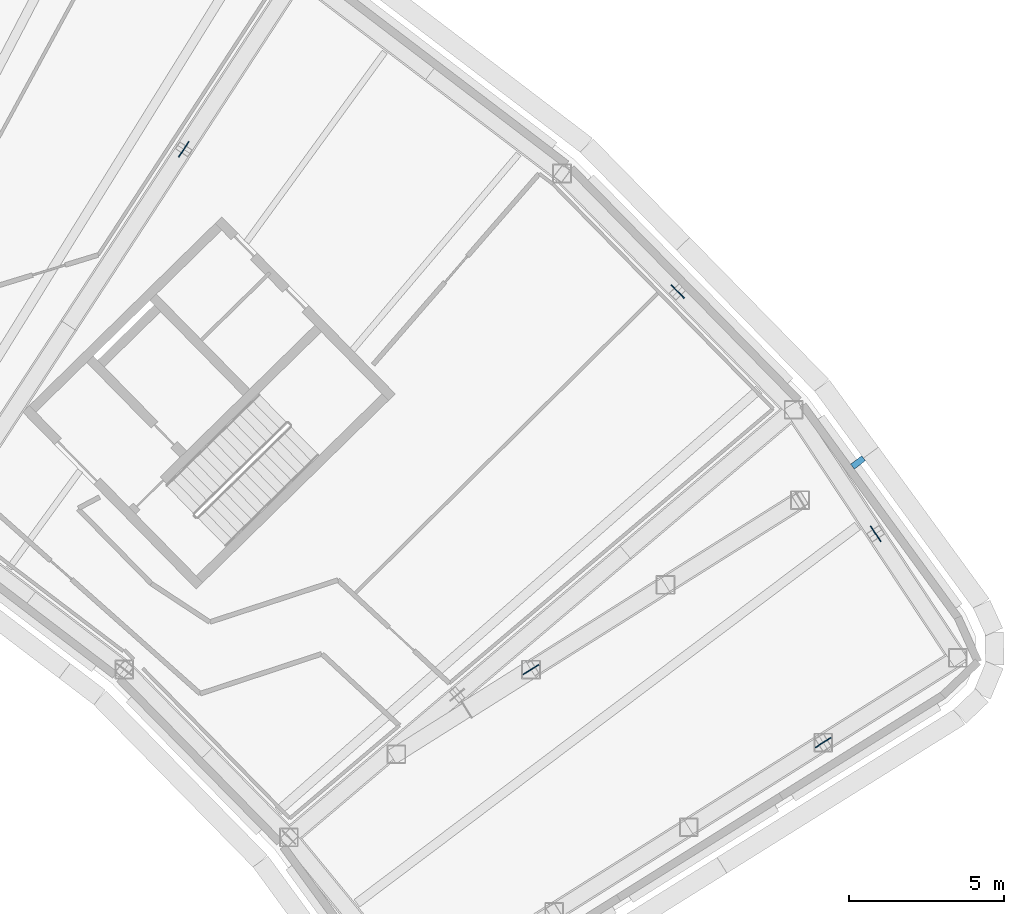
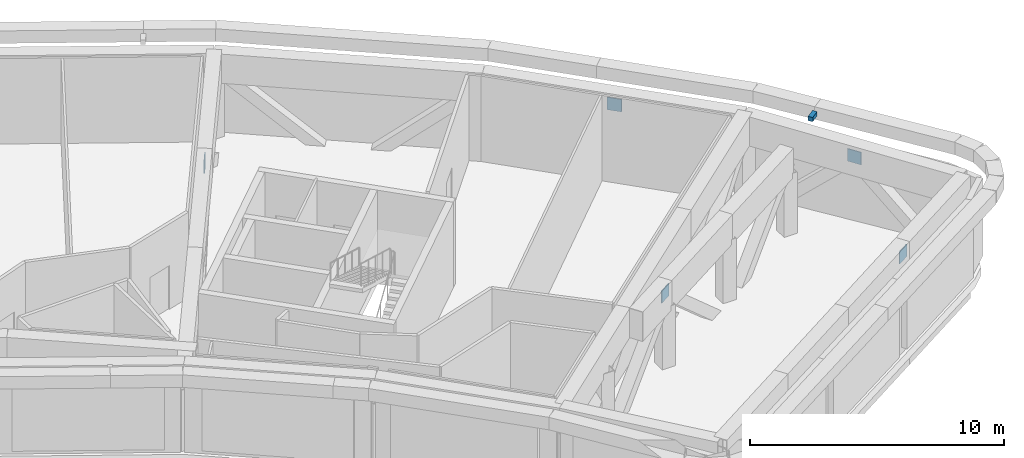
# One storey, part 18 of 24: 6 discrete accessories.
"""IFC4 building model written with IfcOpenShell, lengths in metres."""

from ifc_helpers import new_model, si_unit, direction, frame, origin, origin_2d, place, context, subcontext, project, spatial, rectangle, extrude, material, type_object, element, save


model = new_model("IFC4")

# Units and contexts
model_context = context("Model", 3, precision=1e-05, world=origin(), true_north=direction((0.0, 1.0)))
body_context = subcontext(model_context, "Body", "Model", "MODEL_VIEW")
ifc_project = project(units=[si_unit("LENGTHUNIT", "METRE"), si_unit("AREAUNIT", "SQUARE_METRE"), si_unit("VOLUMEUNIT", "CUBIC_METRE"), si_unit("PLANEANGLEUNIT", "RADIAN"), si_unit("MASSUNIT", "GRAM", prefix="KILO")], contexts=[model_context])

# Site, building, storey
site_placement = place(None, origin())
site = spatial("IfcSite", under=ifc_project, at=site_placement, CompositionType="ELEMENT")
building_placement = place(site_placement, origin())
building = spatial("IfcBuilding", under=site, at=building_placement, Name="Tuul Gate Civic Tower", CompositionType="ELEMENT")
storey_placement = place(building_placement, frame((0.0, 0.0, 243.89990234375)))
storey = spatial("IfcBuildingStorey", under=building, at=storey_placement, Name="Plant and refuge floor 6", CompositionType="ELEMENT", Elevation=243.89990234375)

# Discrete accessories
ifc_material_1 = material(Name="Steel S355", Category="steel")
discrete_accessory_type_1 = type_object("IfcDiscreteAccessoryType", Name="Gusset plate", PredefinedType="BRACKET", material=ifc_material_1)
for number, where, z_axis, x_axis, name in (
    (1, (47.717529296875, -4.23828125, 3.102783203125), (0.0, 0.0, 1.0), (0.546721915066, 0.837314246616, 0.0), "Gusset plate"),
    (2, (63.66552734375, -8.82958984375, 3.103271484375), (0.0, 0.0, 1.0), (0.700047997827, -0.71409579241, 0.0), "Gusset plate"),
    (3, (70.052490234375, -16.64794921875, 3.103515625), (0.0, 0.0, 1.0), (0.551645433906, -0.834078722454, 0.0), "Gusset plate"),
    (4, (68.35888671875, -23.388916015625, 3.103271484375), (0.0, 0.0, 1.0), (0.846187288195, 0.532885609956, 0.0), "Gusset plate"),
    (5, (58.926025390625, -21.031982421875, 3.103271484375), (0.0, 0.0, 1.0), (-0.846187288195, -0.532885609956, 0.0), "Gusset plate"),
):
    element("IfcDiscreteAccessory", number, at=place(storey_placement, frame(where, z_axis=z_axis, x_axis=x_axis)), inside=storey, type_object=discrete_accessory_type_1, Name=name, PredefinedType="BRACKET", context=body_context, shape_type="SweptSolid", body=[
        extrude(rectangle(XDim=0.60009765625, YDim=0.030029296875, at=origin_2d()), origin(), (0.0, 0.0, 1.0), 0.60009765625),
    ])
ifc_material_2 = material(Name="Stainless steel", Category="steel")
discrete_accessory_type_2 = type_object("IfcDiscreteAccessoryType", Name="Screen bracket", PredefinedType="BRACKET", material=ifc_material_2)
discrete_accessory_placement = place(storey_placement, frame((69.4833984375, -14.345703125, 4.05029296875), z_axis=(0.0, 0.0, 1.0), x_axis=(0.796423327972, 0.604739516372, 0.0)))
element("IfcDiscreteAccessory", 6, at=discrete_accessory_placement, inside=storey, type_object=discrete_accessory_type_2, Name="Screen bracket 1", PredefinedType="BRACKET", context=body_context, shape_type="SweptSolid", body=[
    extrude(rectangle(XDim=0.4501953125, YDim=0.199951171875, at=origin_2d()), origin(), (0.0, 0.0, 1.0), 0.199951171875),
])

save(model, "model.ifc")
